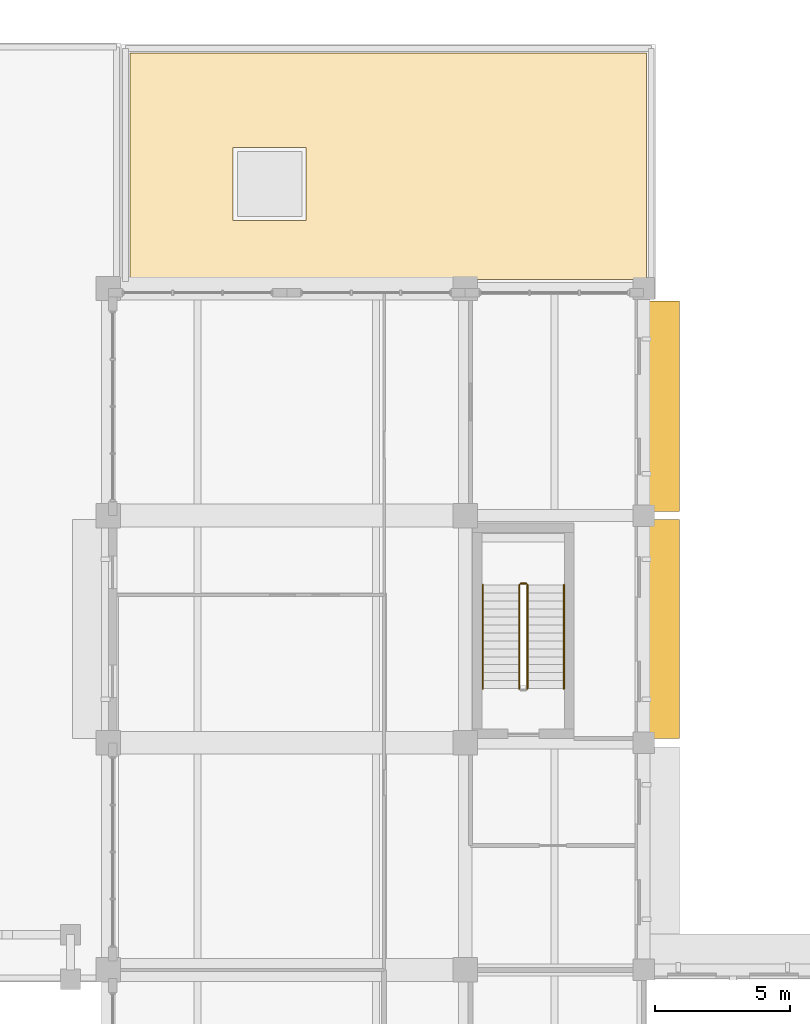
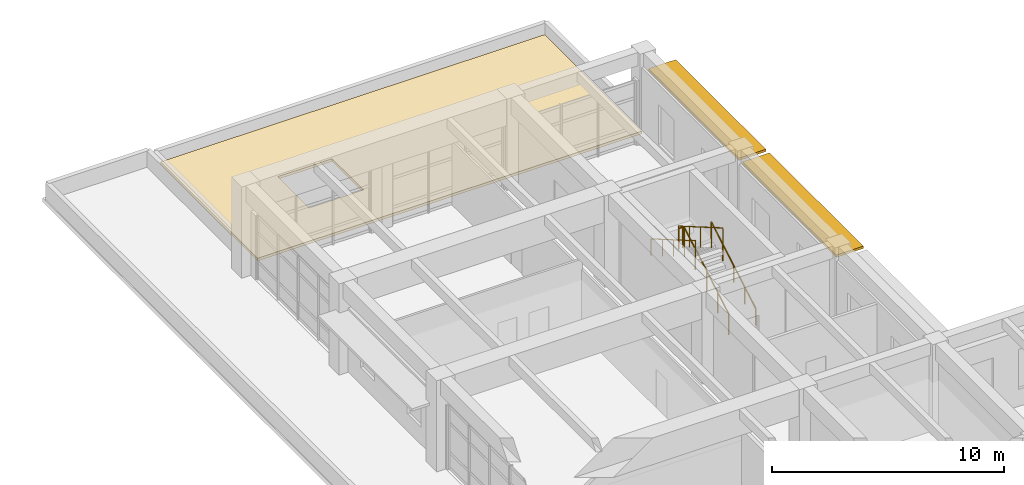
# One storey, part 75 of 75: 5 railings, 2 shading devices, 1 covering.
"""IFC4 building model written with IfcOpenShell, lengths in metres."""

from ifc_helpers import new_model, si_unit, direction, frame, origin, origin_2d, place, context, subcontext, project, spatial, polyline, rectangle, circle, outline, extrude, material, layer, layer_set, type_object, element, save


model = new_model("IFC4")

# Units and contexts
model_context = context("Model", 3, precision=1e-05, world=origin(), true_north=direction((0.0, 1.0)))
body_context = subcontext(model_context, "Body", "Model", "MODEL_VIEW")
ifc_project = project(units=[si_unit("LENGTHUNIT", "METRE"), si_unit("AREAUNIT", "SQUARE_METRE"), si_unit("VOLUMEUNIT", "CUBIC_METRE"), si_unit("PLANEANGLEUNIT", "RADIAN"), si_unit("MASSUNIT", "GRAM", prefix="KILO")], contexts=[model_context])

# Site, building, storey
site_placement = place(None, origin())
site = spatial("IfcSite", under=ifc_project, at=site_placement, CompositionType="ELEMENT")
building_placement = place(site_placement, origin())
building = spatial("IfcBuilding", under=site, at=building_placement, Name="Kolvaren Faculty of Natural Sciences", CompositionType="ELEMENT")
storey_placement = place(building_placement, frame((0.0, 0.0, 5.39990234375)))
storey = spatial("IfcBuildingStorey", under=building, at=storey_placement, Name="L01", CompositionType="ELEMENT", Elevation=5.39990234375)

# Shading devices
ifc_material_1 = material(Name="Precast concrete C35/45", Category="concrete")
ifc_layer_1 = layer(ifc_material_1, 0.1201171875)
ifc_layer_set_1 = layer_set([ifc_layer_1], Name="Precast concrete C35/45")
shading_device_type = type_object("IfcShadingDeviceType", Name="ChhajjaSolarHood_1350", PredefinedType="AWNING", material=ifc_layer_set_1)
shading_device_1_placement = place(storey_placement, frame((139.455078125, 105.0400390625, 3.844970703125), z_axis=(0.0, 0.0, 1.0), x_axis=(0.0, -1.0, 0.0)))
element("IfcShadingDevice", 1, at=shading_device_1_placement, inside=storey, type_object=shading_device_type, Name="L01 precast sandstone chhajja solar hood 42", PredefinedType="AWNING", context=body_context, shape_type="SweptSolid", body=[
    extrude(rectangle(XDim=7.780029296875, YDim=1.35009765625, at=origin_2d()), origin(), (0.0, 0.0, 1.0), 0.1201171875),
])
shading_device_2_placement = place(storey_placement, frame((139.455078125, 96.800048828125, 3.844970703125), z_axis=(0.0, 0.0, 1.0), x_axis=(0.0, -1.0, 0.0)))
element("IfcShadingDevice", 2, at=shading_device_2_placement, inside=storey, type_object=shading_device_type, Name="L01 precast sandstone chhajja solar hood 43", PredefinedType="AWNING", context=body_context, shape_type="SweptSolid", body=[
    extrude(rectangle(XDim=8.10009765625, YDim=1.35009765625, at=origin_2d()), origin(), (0.0, 0.0, 1.0), 0.1201171875),
])

# Covering
ifc_material_2 = material(Name="SBS polymer-modified bitumen waterproofing membrane over PIR insulation")
ifc_layer_2 = layer(ifc_material_2, 0.139892578125)
ifc_layer_set_2 = layer_set([ifc_layer_2], Name="SBS polymer-modified bitumen waterproofing membrane over PIR insulation")
covering_type = type_object("IfcCoveringType", Name="InsulatedRoofMembrane_140", PredefinedType="ROOFING", material=ifc_layer_set_2)
covering_placement = place(storey_placement, origin())
element("IfcCovering", 3, at=covering_placement, inside=storey, type_object=covering_type, Name="L01 insulated warm-roof waterproofing membrane 1", PredefinedType="ROOFING", context=body_context, shape_type="SweptSolid", body=[
    extrude(outline(polyline([(138.904052734375, 109.7236328125), (138.902099609375, 109.72412109375), (138.88720703125, 109.728515625), (138.88525390625, 109.72900390625), (138.853759765625, 109.735595703125), (138.851806640625, 109.736083984375), (138.818115234375, 109.739501953125), (138.81591796875, 109.739501953125), (138.800048828125, 109.739990234375), (119.800048828125, 109.739990234375), (119.800048828125, 118.110107421875), (138.909912109375, 118.110107421875), (138.909912109375, 109.721435546875), (138.904052734375, 109.7236328125)]), holes=[polyline([(126.319091796875, 114.615966796875), (123.618896484375, 114.615966796875), (123.618896484375, 111.916015625), (126.319091796875, 111.916015625), (126.319091796875, 114.615966796875)])]), origin(), (0.0, 0.0, 1.0), 0.14013671875),
])

# Railings
ifc_material_3 = material(Name="Structural steel EN 10210-1 S355J2H", Category="steel")
ifc_layer_3 = layer(ifc_material_3, 0.048095703125)
ifc_layer_set_3 = layer_set([ifc_layer_3], Name="Structural steel EN 10210-1 S355J2H")
railing_type_1 = type_object("IfcRailingType", Name="StairPitchHandrail_920", PredefinedType="HANDRAIL", material=ifc_layer_set_3)
railing_1_placement = place(storey_placement, frame((135.85009765625, 94.60009765625, 0.171630859375)))
element("IfcRailing", 4, at=railing_1_placement, inside=storey, type_object=railing_type_1, Name="L01 ST-7 stair handrail 1", PredefinedType="HANDRAIL", context=body_context, shape_type="SweptSolid", body=[
    extrude(circle(Radius=0.02392578125, at=origin_2d()), frame((0.0, 0.0, 0.8759765625), z_axis=(0.0, 0.86461618451, 0.502432934314), x_axis=(-1.0, 0.0, 0.0)), (0.0, 0.0, 1.0), 4.435546875),
    extrude(circle(Radius=0.02099609375, at=origin_2d()), origin(), (0.0, 0.0, 1.0), 0.851806640625),
    extrude(circle(Radius=0.02099609375, at=origin_2d()), frame((0.0, 0.958740234375, 0.55712890625)), (0.0, 0.0, 1.0), 0.851806640625),
    extrude(circle(Radius=0.02099609375, at=origin_2d()), frame((0.0, 1.91748046875, 1.1142578125)), (0.0, 0.0, 1.0), 0.851806640625),
    extrude(circle(Radius=0.02099609375, at=origin_2d()), frame((0.0, 2.876220703125, 1.67138671875)), (0.0, 0.0, 1.0), 0.851806640625),
    extrude(circle(Radius=0.02099609375, at=origin_2d()), frame((0.0, 3.8349609375, 2.228515625)), (0.0, 0.0, 1.0), 0.851806640625),
])
railing_2_placement = place(storey_placement, frame((132.85009765625, 98.43505859375, 2.571533203125)))
element("IfcRailing", 5, at=railing_2_placement, inside=storey, type_object=railing_type_1, Name="L01 ST-7 stair handrail 2", PredefinedType="HANDRAIL", context=body_context, shape_type="SweptSolid", body=[
    extrude(circle(Radius=0.02392578125, at=origin_2d()), frame((0.0, 0.0, 0.8759765625), z_axis=(0.0, -0.86461618451, 0.502432934314), x_axis=(1.0, 0.0, 0.0)), (0.0, 0.0, 1.0), 4.435546875),
    extrude(circle(Radius=0.02099609375, at=origin_2d()), origin(), (0.0, 0.0, 1.0), 0.851806640625),
    extrude(circle(Radius=0.02099609375, at=origin_2d()), frame((0.0, -0.958740234375, 0.55712890625)), (0.0, 0.0, 1.0), 0.851806640625),
    extrude(circle(Radius=0.02099609375, at=origin_2d()), frame((0.0, -1.91748046875, 1.1142578125)), (0.0, 0.0, 1.0), 0.851806640625),
    extrude(circle(Radius=0.02099609375, at=origin_2d()), frame((0.0, -2.876220703125, 1.67138671875)), (0.0, 0.0, 1.0), 0.851806640625),
    extrude(circle(Radius=0.02099609375, at=origin_2d()), frame((0.0, -3.8349609375, 2.228515625)), (0.0, 0.0, 1.0), 0.851806640625),
])
ifc_layer_4 = layer(ifc_material_3, 0.048095703125)
ifc_layer_set_4 = layer_set([ifc_layer_4], Name="Structural steel EN 10210-1 S355J2H")
railing_type_2 = type_object("IfcRailingType", Name="StairWellGuard_1100", PredefinedType="BALUSTRADE", material=ifc_layer_set_4)
railing_3_placement = place(storey_placement, frame((134.5, 94.60009765625, 0.171630859375)))
element("IfcRailing", 6, at=railing_3_placement, inside=storey, type_object=railing_type_2, Name="L01 ST-7 stair guard 1", PredefinedType="BALUSTRADE", context=body_context, shape_type="SweptSolid", body=[
    extrude(circle(Radius=0.02392578125, at=origin_2d()), frame((0.0, 0.0, 1.076171875), z_axis=(0.0, 0.86461618451, 0.502432934314), x_axis=(-1.0, 0.0, 0.0)), (0.0, 0.0, 1.0), 4.435546875),
    extrude(circle(Radius=0.02099609375, at=origin_2d()), origin(), (0.0, 0.0, 1.0), 1.052001953125),
    extrude(circle(Radius=0.02099609375, at=origin_2d()), frame((0.0, 0.958740234375, 0.55712890625)), (0.0, 0.0, 1.0), 1.052001953125),
    extrude(circle(Radius=0.02099609375, at=origin_2d()), frame((0.0, 1.91748046875, 1.1142578125)), (0.0, 0.0, 1.0), 1.052001953125),
    extrude(circle(Radius=0.02099609375, at=origin_2d()), frame((0.0, 2.876220703125, 1.67138671875)), (0.0, 0.0, 1.0), 1.052001953125),
    extrude(circle(Radius=0.02099609375, at=origin_2d()), frame((0.0, 3.8349609375, 2.228515625)), (0.0, 0.0, 1.0), 1.052001953125),
])
railing_4_placement = place(storey_placement, frame((134.449951171875, 98.485107421875, 2.400146484375)))
element("IfcRailing", 7, at=railing_4_placement, inside=storey, type_object=railing_type_2, Name="L01 ST-7 stair guard 2", PredefinedType="BALUSTRADE", context=body_context, shape_type="SweptSolid", body=[
    extrude(circle(Radius=0.02392578125, at=origin_2d()), frame((0.0, 0.0, 1.076171875), z_axis=(-1.0, 0.0, 0.0), x_axis=(0.0, -1.0, 0.0)), (0.0, 0.0, 1.0), 0.199951171875),
    extrude(circle(Radius=0.02099609375, at=origin_2d()), origin(), (0.0, 0.0, 1.0), 1.052001953125),
    extrude(circle(Radius=0.02099609375, at=origin_2d()), frame((-0.199951171875, 0.0, 0.0)), (0.0, 0.0, 1.0), 1.052001953125),
])
railing_5_placement = place(storey_placement, frame((134.199951171875, 98.43505859375, 2.571533203125)))
element("IfcRailing", 8, at=railing_5_placement, inside=storey, type_object=railing_type_2, Name="L01 ST-7 stair guard 3", PredefinedType="BALUSTRADE", context=body_context, shape_type="SweptSolid", body=[
    extrude(circle(Radius=0.02392578125, at=origin_2d()), frame((0.0, 0.0, 1.076171875), z_axis=(0.0, -0.86461618451, 0.502432934314), x_axis=(1.0, 0.0, 0.0)), (0.0, 0.0, 1.0), 4.435546875),
    extrude(circle(Radius=0.02099609375, at=origin_2d()), origin(), (0.0, 0.0, 1.0), 1.052001953125),
    extrude(circle(Radius=0.02099609375, at=origin_2d()), frame((0.0, -0.958740234375, 0.55712890625)), (0.0, 0.0, 1.0), 1.052001953125),
    extrude(circle(Radius=0.02099609375, at=origin_2d()), frame((0.0, -1.91748046875, 1.1142578125)), (0.0, 0.0, 1.0), 1.052001953125),
    extrude(circle(Radius=0.02099609375, at=origin_2d()), frame((0.0, -2.876220703125, 1.67138671875)), (0.0, 0.0, 1.0), 1.052001953125),
    extrude(circle(Radius=0.02099609375, at=origin_2d()), frame((0.0, -3.8349609375, 2.228515625)), (0.0, 0.0, 1.0), 1.052001953125),
])

save(model, "model.ifc")
